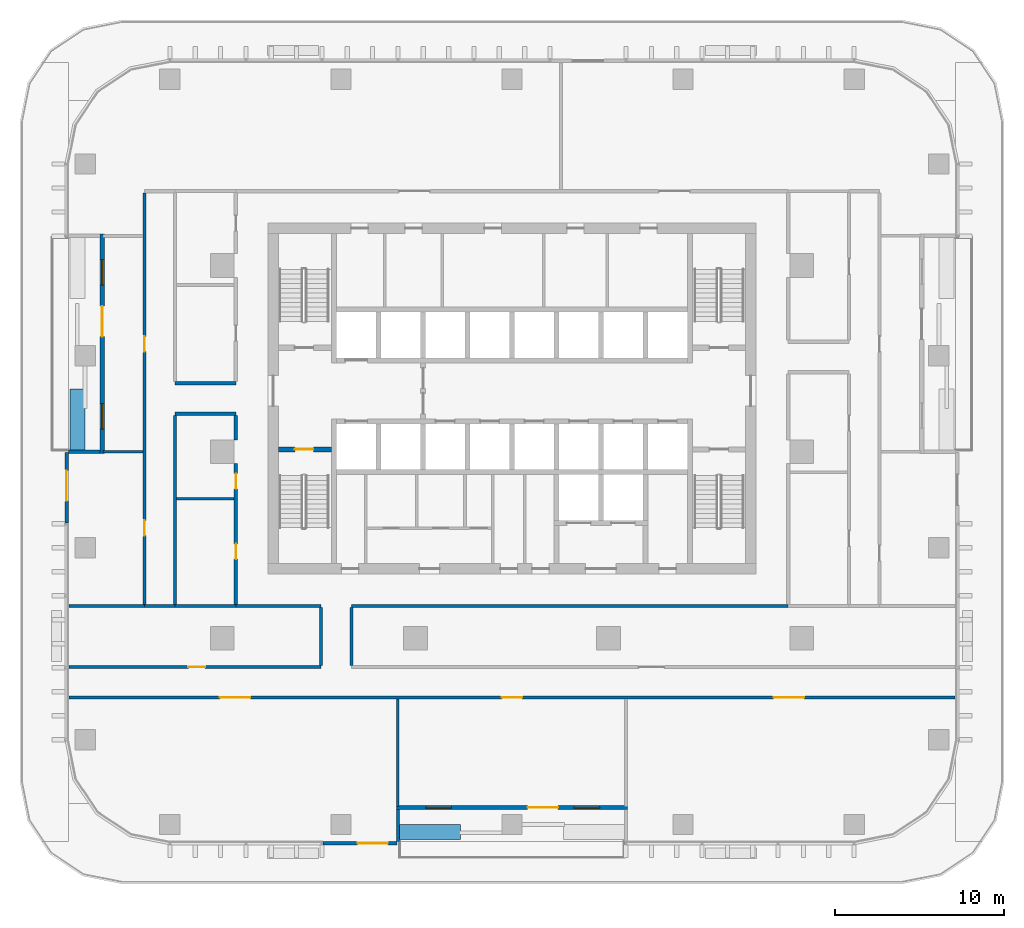
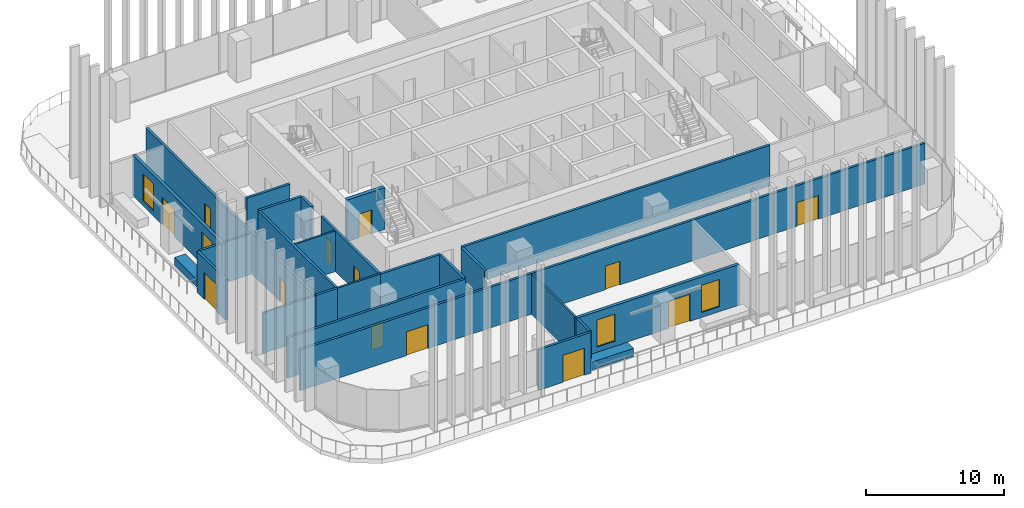
# One storey, part 7 of 16: 27 walls, 13 doors, 4 windows, 17 openings.
"""IFC4 building model written with IfcOpenShell, lengths in metres."""

from ifc_helpers import new_model, si_unit, direction, frame, frame_2d, origin, place, context, subcontext, project, spatial, rectangle, extrude, material, layer, layer_set, type_object, element, fill, save


model = new_model("IFC4")

# Units and contexts
model_context = context("Model", 3, precision=1e-05, world=origin(), true_north=direction((0.0, 1.0)))
body_context = subcontext(model_context, "Body", "Model", "MODEL_VIEW")
ifc_project = project(units=[si_unit("LENGTHUNIT", "METRE"), si_unit("AREAUNIT", "SQUARE_METRE"), si_unit("VOLUMEUNIT", "CUBIC_METRE"), si_unit("PLANEANGLEUNIT", "RADIAN"), si_unit("MASSUNIT", "GRAM", prefix="KILO")], contexts=[model_context])

# Site, building, storey
site_placement = place(None, origin())
site = spatial("IfcSite", under=ifc_project, at=site_placement, CompositionType="ELEMENT")
building_placement = place(site_placement, origin())
building = spatial("IfcBuilding", under=site, at=building_placement, Name="Mopane Tessera Tower", CompositionType="ELEMENT")
storey_placement = place(building_placement, frame((0.0, 0.0, 157.0)))
storey = spatial("IfcBuildingStorey", under=building, at=storey_placement, Name="L31", CompositionType="ELEMENT", Elevation=157.0)

# Wall, openings, doors
ifc_material_1 = material(Name="Gypsum board on steel studs, two layers each face, mineral wool infill", Category="steel")
ifc_layer_1 = layer(ifc_material_1, 0.199951171875)
ifc_layer_set_1 = layer_set([ifc_layer_1], Name="Gypsum board on steel studs, two layers each face, mineral wool infill")
wall_type_1 = type_object("IfcWallType", Name="Gypsum board corridor wall 200, rated EI 60", PredefinedType="PARTITIONING", material=ifc_layer_set_1)
wall_1_placement = place(storey_placement, frame((-26.14990234375, -14.5, 0.0), z_axis=(0.0, 0.0, 1.0), x_axis=(1.0, 0.0, 0.0)))
wall_1 = element("IfcWall", 1, at=wall_1_placement, inside=storey, type_object=wall_type_1, Name="Partition L31:000", PredefinedType="PARTITIONING", context=body_context, shape_type="SweptSolid", body=[
    extrude(rectangle(XDim=52.2998046875, YDim=0.199951171875, at=frame_2d((26.14990234375, 0.0))), origin(), (0.0, 0.0, 1.0), 3.60009765625),
])
opening_1_placement = place(wall_1_placement, frame((25.550048828125, 0.0, 0.0)))
opening_1 = element("IfcOpeningElement", 2, at=opening_1_placement, cuts=wall_1, Name="Opening L31-02", PredefinedType="OPENING", context=body_context, shape_type="SweptSolid", body=[
    extrude(rectangle(XDim=1.199951171875, YDim=2.10009765625, at=frame_2d((0.60009765625, 1.050048828125))), frame((0.0, 0.112060546875, 0.0), z_axis=(0.0, -1.0, 0.0), x_axis=(1.0, 0.0, 0.0)), (0.0, 0.0, 1.0), 0.223876953125),
])
opening_2_placement = place(wall_1_placement, frame((8.907470703125, 0.0, 0.0)))
opening_2 = element("IfcOpeningElement", 3, at=opening_2_placement, cuts=wall_1, Name="Opening L31-15", PredefinedType="OPENING", context=body_context, shape_type="SweptSolid", body=[
    extrude(rectangle(XDim=1.800048828125, YDim=2.10009765625, at=frame_2d((0.89990234375, 1.050048828125))), frame((0.0, 0.112060546875, 0.0), z_axis=(0.0, -1.0, 0.0), x_axis=(1.0, 0.0, 0.0)), (0.0, 0.0, 1.0), 0.223876953125),
])
opening_3_placement = place(wall_1_placement, frame((41.592529296875, 0.0, 0.0)))
opening_3 = element("IfcOpeningElement", 4, at=opening_3_placement, cuts=wall_1, Name="Opening L31-18", PredefinedType="OPENING", context=body_context, shape_type="SweptSolid", body=[
    extrude(rectangle(XDim=1.800048828125, YDim=2.10009765625, at=frame_2d((0.89990234375, 1.050048828125))), frame((0.0, 0.112060546875, 0.0), z_axis=(0.0, -1.0, 0.0), x_axis=(1.0, 0.0, 0.0)), (0.0, 0.0, 1.0), 0.223876953125),
])
ifc_material_2 = material(Name="Timber veneered steel-framed fire door", Category="steel")
door_type_1 = type_object("IfcDoorType", Name="Fire door FD60 1200 x 2100", OperationType="SINGLE_SWING_LEFT", PredefinedType="DOOR", material=ifc_material_2)
door_1_placement = place(opening_1_placement, origin())
door_1 = element("IfcDoor", 5, at=door_1_placement, inside=storey, type_object=door_type_1, Name="Door L31-02", ObjectType="D15A", OperationType="SINGLE_SWING_RIGHT", OverallHeight=2.10009765625, OverallWidth=1.199951171875, PredefinedType="DOOR", context=body_context, shape_type="SweptSolid", body=[
    extrude(rectangle(XDim=1.199951171875, YDim=2.10009765625, at=frame_2d((0.60009765625, 1.050048828125))), frame((0.0, 0.02490234375, 0.0), z_axis=(0.0, -1.0, 0.0), x_axis=(1.0, 0.0, 0.0)), (0.0, 0.0, 1.0), 0.050048828125),
])
fill(opening_1, door_1)
ifc_material_3 = material(Name="Timber veneered steel-framed fire door", Category="steel")
door_type_2 = type_object("IfcDoorType", Name="Fire door pair FD60 1800 x 2100", OperationType="DOUBLE_DOOR_SINGLE_SWING", PredefinedType="DOOR", material=ifc_material_3)
door_2_placement = place(opening_2_placement, origin())
door_2 = element("IfcDoor", 6, at=door_2_placement, inside=storey, type_object=door_type_2, Name="Door L31-15", ObjectType="D20A", OperationType="DOUBLE_DOOR_SINGLE_SWING", OverallHeight=2.10009765625, OverallWidth=1.800048828125, PredefinedType="DOOR", context=body_context, shape_type="SweptSolid", body=[
    extrude(rectangle(XDim=1.800048828125, YDim=2.10009765625, at=frame_2d((0.89990234375, 1.050048828125))), frame((0.0, 0.02490234375, 0.0), z_axis=(0.0, -1.0, 0.0), x_axis=(1.0, 0.0, 0.0)), (0.0, 0.0, 1.0), 0.050048828125),
])
fill(opening_2, door_2)
door_3_placement = place(opening_3_placement, origin())
door_3 = element("IfcDoor", 7, at=door_3_placement, inside=storey, type_object=door_type_2, Name="Door L31-18", ObjectType="D20A", OperationType="DOUBLE_DOOR_SINGLE_SWING", OverallHeight=2.10009765625, OverallWidth=1.800048828125, PredefinedType="DOOR", context=body_context, shape_type="SweptSolid", body=[
    extrude(rectangle(XDim=1.800048828125, YDim=2.10009765625, at=frame_2d((0.89990234375, 1.050048828125))), frame((0.0, 0.02490234375, 0.0), z_axis=(0.0, -1.0, 0.0), x_axis=(1.0, 0.0, 0.0)), (0.0, 0.0, 1.0), 0.050048828125),
])
fill(opening_3, door_3)

# Wall, opening, door
wall_2_placement = place(storey_placement, frame((-26.14990234375, -12.699951171875, 0.0), z_axis=(0.0, 0.0, 1.0), x_axis=(1.0, 0.0, 0.0)))
wall_2 = element("IfcWall", 8, at=wall_2_placement, inside=storey, type_object=wall_type_1, Name="Partition L31:001", PredefinedType="PARTITIONING", context=body_context, shape_type="SweptSolid", body=[
    extrude(rectangle(XDim=14.869873046875, YDim=0.199951171875, at=frame_2d((7.43505859375, 0.0))), origin(), (0.0, 0.0, 1.0), 3.60009765625),
])
opening_4_placement = place(wall_2_placement, frame((7.034912109375, 0.0, 0.0)))
opening_4 = element("IfcOpeningElement", 9, at=opening_4_placement, cuts=wall_2, Name="Opening L31-09", PredefinedType="OPENING", context=body_context, shape_type="SweptSolid", body=[
    extrude(rectangle(XDim=1.0, YDim=2.10009765625, at=frame_2d((0.5, 1.050048828125))), frame((0.0, 0.112060546875, 0.0), z_axis=(0.0, -1.0, 0.0), x_axis=(1.0, 0.0, 0.0)), (0.0, 0.0, 1.0), 0.223876953125),
])
ifc_material_4 = material(Name="Timber veneered steel-framed fire door", Category="steel")
door_type_3 = type_object("IfcDoorType", Name="Fire door FD60 1000 x 2100", OperationType="SINGLE_SWING_LEFT", PredefinedType="DOOR", material=ifc_material_4)
door_4_placement = place(opening_4_placement, origin())
door_4 = element("IfcDoor", 10, at=door_4_placement, inside=storey, type_object=door_type_3, Name="Door L31-09", ObjectType="D12A", OperationType="SINGLE_SWING_RIGHT", OverallHeight=2.10009765625, OverallWidth=1.0, PredefinedType="DOOR", context=body_context, shape_type="SweptSolid", body=[
    extrude(rectangle(XDim=1.0, YDim=2.10009765625, at=frame_2d((0.5, 1.050048828125))), frame((0.0, 0.02490234375, 0.0), z_axis=(0.0, -1.0, 0.0), x_axis=(1.0, 0.0, 0.0)), (0.0, 0.0, 1.0), 0.050048828125),
])
fill(opening_4, door_4)

# Walls
wall_3_placement = place(storey_placement, frame((-21.699951171875, -9.10009765625, 0.0), z_axis=(0.0, 0.0, 1.0), x_axis=(1.0, 0.0, 0.0)))
element("IfcWall", 11, at=wall_3_placement, inside=storey, type_object=wall_type_1, Name="Partition L31:007", PredefinedType="PARTITIONING", context=body_context, shape_type="SweptSolid", body=[
    extrude(rectangle(XDim=1.800048828125, YDim=0.199951171875, at=frame_2d((0.89990234375, 0.0))), origin(), (0.0, 0.0, 1.0), 3.60009765625),
])
wall_4_placement = place(storey_placement, frame((-16.300048828125, -9.10009765625, 0.0), z_axis=(0.0, 0.0, 1.0), x_axis=(1.0, 0.0, 0.0)))
element("IfcWall", 12, at=wall_4_placement, inside=storey, type_object=wall_type_1, Name="Partition L31:008", PredefinedType="PARTITIONING", context=body_context, shape_type="SweptSolid", body=[
    extrude(rectangle(XDim=5.02001953125, YDim=0.199951171875, at=frame_2d((2.510009765625, 0.0))), origin(), (0.0, 0.0, 1.0), 3.60009765625),
])
wall_5_placement = place(storey_placement, frame((-9.47998046875, -9.10009765625, 0.0), z_axis=(0.0, 0.0, 1.0), x_axis=(1.0, 0.0, 0.0)))
element("IfcWall", 13, at=wall_5_placement, inside=storey, type_object=wall_type_1, Name="Partition L31:009", PredefinedType="PARTITIONING", context=body_context, shape_type="SweptSolid", body=[
    extrude(rectangle(XDim=25.780029296875, YDim=0.199951171875, at=frame_2d((12.89013671875, 0.0))), origin(), (0.0, 0.0, 1.0), 3.60009765625),
])
for number, where, z_axis, x_axis, name in (
    (14, (-19.89990234375, 2.25, 0.0), (0.0, 0.0, 1.0), (1.0, 0.0, 0.0), "Partition L31:015"),
    (15, (-19.89990234375, 4.050048828125, 0.0), (0.0, 0.0, 1.0), (1.0, 0.0, 0.0), "Partition L31:016"),
):
    element("IfcWall", number, at=place(storey_placement, frame(where, z_axis=z_axis, x_axis=x_axis)), inside=storey, type_object=wall_type_1, Name=name, PredefinedType="PARTITIONING", context=body_context, shape_type="SweptSolid", body=[
        extrude(rectangle(XDim=3.599853515625, YDim=0.199951171875, at=frame_2d((1.7998046875, 0.0))), origin(), (0.0, 0.0, 1.0), 3.60009765625),
    ])

# Wall, openings, doors
wall_6_placement = place(storey_placement, frame((-21.699951171875, -9.0, 0.0), z_axis=(0.0, 0.0, 1.0), x_axis=(0.0, 1.0, 0.0)))
wall_6 = element("IfcWall", 16, at=wall_6_placement, inside=storey, type_object=wall_type_1, Name="Partition L31:027", PredefinedType="PARTITIONING", context=body_context, shape_type="SweptSolid", body=[
    extrude(rectangle(XDim=24.300048828125, YDim=0.199951171875, at=frame_2d((12.14990234375, 0.0))), origin(), (0.0, 0.0, 1.0), 3.60009765625),
])
opening_5_placement = place(wall_6_placement, frame((14.925048828125, 0.0, 0.0)))
opening_5 = element("IfcOpeningElement", 17, at=opening_5_placement, cuts=wall_6, Name="Opening L31-01", PredefinedType="OPENING", context=body_context, shape_type="SweptSolid", body=[
    extrude(rectangle(XDim=0.89990234375, YDim=2.10009765625, at=frame_2d((0.449951171875, 1.050048828125))), frame((0.0, 0.112060546875, 0.0), z_axis=(0.0, -1.0, 0.0), x_axis=(1.0, 0.0, 0.0)), (0.0, 0.0, 1.0), 0.223876953125),
])
opening_6_placement = place(wall_6_placement, frame((4.050048828125, 0.0, 0.0)))
opening_6 = element("IfcOpeningElement", 18, at=opening_6_placement, cuts=wall_6, Name="Opening L31-13", PredefinedType="OPENING", context=body_context, shape_type="SweptSolid", body=[
    extrude(rectangle(XDim=0.89990234375, YDim=2.10009765625, at=frame_2d((0.449951171875, 1.050048828125))), frame((0.0, 0.112060546875, 0.0), z_axis=(0.0, -1.0, 0.0), x_axis=(1.0, 0.0, 0.0)), (0.0, 0.0, 1.0), 0.223876953125),
])
ifc_material_5 = material(Name="Timber veneered steel-framed fire door", Category="steel")
door_type_4 = type_object("IfcDoorType", Name="Fire door FD60 900 x 2100", OperationType="SINGLE_SWING_LEFT", PredefinedType="DOOR", material=ifc_material_5)
door_5_placement = place(opening_5_placement, origin())
door_5 = element("IfcDoor", 19, at=door_5_placement, inside=storey, type_object=door_type_4, Name="Door L31-01", ObjectType="D10A", OperationType="SINGLE_SWING_RIGHT", OverallHeight=2.10009765625, OverallWidth=0.89990234375, PredefinedType="DOOR", context=body_context, shape_type="SweptSolid", body=[
    extrude(rectangle(XDim=0.89990234375, YDim=2.10009765625, at=frame_2d((0.449951171875, 1.050048828125))), frame((0.0, 0.02490234375, 0.0), z_axis=(0.0, -1.0, 0.0), x_axis=(1.0, 0.0, 0.0)), (0.0, 0.0, 1.0), 0.050048828125),
])
fill(opening_5, door_5)
door_6_placement = place(opening_6_placement, origin())
door_6 = element("IfcDoor", 20, at=door_6_placement, inside=storey, type_object=door_type_4, Name="Door L31-13", ObjectType="D10A", OperationType="SINGLE_SWING_RIGHT", OverallHeight=2.10009765625, OverallWidth=0.89990234375, PredefinedType="DOOR", context=body_context, shape_type="SweptSolid", body=[
    extrude(rectangle(XDim=0.89990234375, YDim=2.10009765625, at=frame_2d((0.449951171875, 1.050048828125))), frame((0.0, 0.02490234375, 0.0), z_axis=(0.0, -1.0, 0.0), x_axis=(1.0, 0.0, 0.0)), (0.0, 0.0, 1.0), 0.050048828125),
])
fill(opening_6, door_6)

# Wall
wall_7_placement = place(storey_placement, frame((-19.89990234375, -9.0, 0.0), z_axis=(0.0, 0.0, 1.0), x_axis=(0.0, 1.0, 0.0)))
element("IfcWall", 21, at=wall_7_placement, inside=storey, type_object=wall_type_1, Name="Partition L31:028", PredefinedType="PARTITIONING", context=body_context, shape_type="SweptSolid", body=[
    extrude(rectangle(XDim=11.14990234375, YDim=0.199951171875, at=frame_2d((5.574951171875, 0.0))), origin(), (0.0, 0.0, 1.0), 3.60009765625),
])

# Wall, openings, doors
wall_8_placement = place(storey_placement, frame((-16.300048828125, -9.0, 0.0), z_axis=(0.0, 0.0, 1.0), x_axis=(0.0, 1.0, 0.0)))
wall_8 = element("IfcWall", 22, at=wall_8_placement, inside=storey, type_object=wall_type_1, Name="Partition L31:030", PredefinedType="PARTITIONING", context=body_context, shape_type="SweptSolid", body=[
    extrude(rectangle(XDim=8.300048828125, YDim=0.199951171875, at=frame_2d((4.14990234375, 0.0))), origin(), (0.0, 0.0, 1.0), 3.60009765625),
])
opening_7_placement = place(wall_8_placement, frame((6.822509765625, 0.0, 0.0)))
opening_7 = element("IfcOpeningElement", 23, at=opening_7_placement, cuts=wall_8, Name="Opening L31-07", PredefinedType="OPENING", context=body_context, shape_type="SweptSolid", body=[
    extrude(rectangle(XDim=0.89990234375, YDim=2.10009765625, at=frame_2d((0.449951171875, 1.050048828125))), frame((0.0, 0.112060546875, 0.0), z_axis=(0.0, -1.0, 0.0), x_axis=(1.0, 0.0, 0.0)), (0.0, 0.0, 1.0), 0.223876953125),
])
opening_8_placement = place(wall_8_placement, frame((2.672607421875, 0.0, 0.0)))
opening_8 = element("IfcOpeningElement", 24, at=opening_8_placement, cuts=wall_8, Name="Opening L31-10", PredefinedType="OPENING", context=body_context, shape_type="SweptSolid", body=[
    extrude(rectangle(XDim=0.89990234375, YDim=2.10009765625, at=frame_2d((0.449951171875, 1.050048828125))), frame((0.0, 0.112060546875, 0.0), z_axis=(0.0, -1.0, 0.0), x_axis=(1.0, 0.0, 0.0)), (0.0, 0.0, 1.0), 0.223876953125),
])
door_7_placement = place(opening_7_placement, origin())
door_7 = element("IfcDoor", 25, at=door_7_placement, inside=storey, type_object=door_type_4, Name="Door L31-07", ObjectType="D10A", OperationType="SINGLE_SWING_RIGHT", OverallHeight=2.10009765625, OverallWidth=0.89990234375, PredefinedType="DOOR", context=body_context, shape_type="SweptSolid", body=[
    extrude(rectangle(XDim=0.89990234375, YDim=2.10009765625, at=frame_2d((0.449951171875, 1.050048828125))), frame((0.0, 0.02490234375, 0.0), z_axis=(0.0, -1.0, 0.0), x_axis=(1.0, 0.0, 0.0)), (0.0, 0.0, 1.0), 0.050048828125),
])
fill(opening_7, door_7)
door_8_placement = place(opening_8_placement, origin())
door_8 = element("IfcDoor", 26, at=door_8_placement, inside=storey, type_object=door_type_4, Name="Door L31-10", ObjectType="D10A", OperationType="SINGLE_SWING_LEFT", OverallHeight=2.10009765625, OverallWidth=0.89990234375, PredefinedType="DOOR", context=body_context, shape_type="SweptSolid", body=[
    extrude(rectangle(XDim=0.89990234375, YDim=2.10009765625, at=frame_2d((0.449951171875, 1.050048828125))), frame((0.0, 0.02490234375, 0.0), z_axis=(0.0, -1.0, 0.0), x_axis=(1.0, 0.0, 0.0)), (0.0, 0.0, 1.0), 0.050048828125),
])
fill(opening_8, door_8)

# Walls
wall_9_placement = place(storey_placement, frame((-16.300048828125, 0.699951171875, 0.0), z_axis=(0.0, 0.0, 1.0), x_axis=(0.0, 1.0, 0.0)))
element("IfcWall", 27, at=wall_9_placement, inside=storey, type_object=wall_type_1, Name="Partition L31:031", PredefinedType="PARTITIONING", context=body_context, shape_type="SweptSolid", body=[
    extrude(rectangle(XDim=1.449951171875, YDim=0.199951171875, at=frame_2d((0.72509765625, 0.0))), origin(), (0.0, 0.0, 1.0), 3.60009765625),
])
for number, where, z_axis, x_axis, name in (
    (28, (-11.280029296875, -12.60009765625, 0.0), (0.0, 0.0, 1.0), (0.0, 1.0, 0.0), "Partition L31:034"),
    (29, (-9.47998046875, -12.60009765625, 0.0), (0.0, 0.0, 1.0), (0.0, 1.0, 0.0), "Partition L31:035"),
):
    element("IfcWall", number, at=place(storey_placement, frame(where, z_axis=z_axis, x_axis=x_axis)), inside=storey, type_object=wall_type_1, Name=name, PredefinedType="PARTITIONING", context=body_context, shape_type="SweptSolid", body=[
        extrude(rectangle(XDim=3.400146484375, YDim=0.199951171875, at=frame_2d((1.7001953125, 0.0))), origin(), (0.0, 0.0, 1.0), 3.60009765625),
    ])
ifc_material_6 = material(Name="Gypsum board on steel studs, mineral wool infill", Category="steel")
ifc_layer_2 = layer(ifc_material_6, 0.14990234375)
ifc_layer_set_2 = layer_set([ifc_layer_2], Name="Gypsum board on steel studs, mineral wool infill")
wall_type_2 = type_object("IfcWallType", Name="Gypsum board partition 150, rated EI 60", PredefinedType="PARTITIONING", material=ifc_layer_set_2)
wall_10_placement = place(storey_placement, frame((-26.14990234375, -9.10009765625, 0.0), z_axis=(0.0, 0.0, 1.0), x_axis=(1.0, 0.0, 0.0)))
element("IfcWall", 30, at=wall_10_placement, inside=storey, type_object=wall_type_2, Name="Partition L31:003", PredefinedType="PARTITIONING", context=body_context, shape_type="SweptSolid", body=[
    extrude(rectangle(XDim=4.449951171875, YDim=0.14990234375, at=frame_2d((2.22509765625, 0.0))), origin(), (0.0, 0.0, 1.0), 3.60009765625),
])
wall_11_placement = place(storey_placement, frame((-19.89990234375, -9.10009765625, 0.0), z_axis=(0.0, 0.0, 1.0), x_axis=(1.0, 0.0, 0.0)))
element("IfcWall", 31, at=wall_11_placement, inside=storey, type_object=wall_type_2, Name="Partition L31:004", PredefinedType="PARTITIONING", context=body_context, shape_type="SweptSolid", body=[
    extrude(rectangle(XDim=3.599853515625, YDim=0.14990234375, at=frame_2d((1.7998046875, 0.0))), origin(), (0.0, 0.0, 1.0), 3.60009765625),
])
wall_12_placement = place(storey_placement, frame((-19.800048828125, -2.7548828125, 0.0), z_axis=(0.0, 0.0, 1.0), x_axis=(1.0, 0.0, 0.0)))
element("IfcWall", 32, at=wall_12_placement, inside=storey, type_object=wall_type_2, Name="Partition L31:011", PredefinedType="PARTITIONING", context=body_context, shape_type="SweptSolid", body=[
    extrude(rectangle(XDim=3.400146484375, YDim=0.14990234375, at=frame_2d((1.7001953125, 0.0))), origin(), (0.0, 0.0, 1.0), 3.60009765625),
])
wall_13_placement = place(storey_placement, frame((-24.14990234375, 0.0, 0.0), z_axis=(0.0, 0.0, 1.0), x_axis=(1.0, 0.0, 0.0)))
element("IfcWall", 33, at=wall_13_placement, inside=storey, type_object=wall_type_2, Name="Partition L31:013", PredefinedType="PARTITIONING", context=body_context, shape_type="SweptSolid", body=[
    extrude(rectangle(XDim=2.349853515625, YDim=0.14990234375, at=frame_2d((1.1748046875, 0.0))), origin(), (0.0, 0.0, 1.0), 3.60009765625),
])
wall_14_placement = place(storey_placement, frame((-6.735107421875, -20.949951171875, 0.0), z_axis=(0.0, 0.0, 1.0), x_axis=(0.0, 1.0, 0.0)))
element("IfcWall", 34, at=wall_14_placement, inside=storey, type_object=wall_type_2, Name="Partition L31:036", PredefinedType="PARTITIONING", context=body_context, shape_type="SweptSolid", body=[
    extrude(rectangle(XDim=6.349853515625, YDim=0.14990234375, at=frame_2d((3.1748046875, 0.0))), origin(), (0.0, 0.0, 1.0), 3.60009765625),
])

# Wall, opening, door
ifc_material_7 = material(Name="Concrete C50/60", Category="concrete")
ifc_layer_3 = layer(ifc_material_7, 0.300048828125)
ifc_layer_set_3 = layer_set([ifc_layer_3], Name="Concrete C50/60")
wall_type_3 = type_object("IfcWallType", Name="Lift and stair shaft wall 300 mm", PredefinedType="SOLIDWALL", material=ifc_layer_set_3)
wall_15_placement = place(storey_placement, frame((-13.800048828125, 0.14990234375, 0.0), z_axis=(0.0, 0.0, 1.0), x_axis=(1.0, 0.0, 0.0)))
wall_15 = element("IfcWall", 35, at=wall_15_placement, inside=storey, type_object=wall_type_3, Name="L31 Stair enclosure wall", PredefinedType="SOLIDWALL", context=body_context, shape_type="SweptSolid", body=[
    extrude(rectangle(XDim=3.150146484375, YDim=0.300048828125, at=frame_2d((1.5751953125, 0.0))), origin(), (0.0, 0.0, 1.0), 3.699951171875),
])
opening_9_placement = place(wall_15_placement, frame((0.97509765625, 0.0, 0.0)))
opening_9 = element("IfcOpeningElement", 36, at=opening_9_placement, cuts=wall_15, Name="Opening SD1", PredefinedType="OPENING", context=body_context, shape_type="SweptSolid", body=[
    extrude(rectangle(XDim=1.10009765625, YDim=2.10009765625, at=frame_2d((0.550048828125, 1.050048828125))), frame((0.0, 0.162109375, 0.0), z_axis=(0.0, -1.0, 0.0), x_axis=(1.0, 0.0, 0.0)), (0.0, 0.0, 1.0), 0.323974609375),
])
ifc_material_8 = material(Name="Steel fire door", Category="steel")
door_type_5 = type_object("IfcDoorType", Name="Stair fire door 1100 x 2100", OperationType="SINGLE_SWING_LEFT", PredefinedType="DOOR", material=ifc_material_8)
door_9_placement = place(opening_9_placement, origin())
door_9 = element("IfcDoor", 37, at=door_9_placement, inside=storey, type_object=door_type_5, Name="L31 Stair door ST1", OperationType="SINGLE_SWING_LEFT", OverallHeight=2.10009765625, OverallWidth=1.10009765625, PredefinedType="DOOR", context=body_context, shape_type="SweptSolid", body=[
    extrude(rectangle(XDim=1.10009765625, YDim=2.10009765625, at=frame_2d((0.550048828125, 1.050048828125))), frame((0.0, 0.02490234375, 0.0), z_axis=(0.0, -1.0, 0.0), x_axis=(1.0, 0.0, 0.0)), (0.0, 0.0, 1.0), 0.050048828125),
])
fill(opening_9, door_9)

# Walls
ifc_material_9 = material(Name="Reinforced concrete C32/40 with waterproofing", Category="concrete")
ifc_layer_4 = layer(ifc_material_9, 0.89990234375)
ifc_layer_set_4 = layer_set([ifc_layer_4], Name="Reinforced concrete C32/40 with waterproofing")
wall_type_4 = type_object("IfcWallType", Name="Planter trough 3600 x 900", PredefinedType="STANDARD", material=ifc_layer_set_4)
for number, where, z_axis, x_axis, name in (
    (38, (-25.64990234375, 3.699951171875, 0.0), (0.0, 0.0, 1.0), (0.0, -1.0, 0.0), "e:nw:L31:N1:pl1"),
    (39, (-6.63330078125, -22.449951171875, 0.0), (0.0, 0.0, 1.0), (1.0, 0.0, 0.0), "e:nw:L31:N2:pl0"),
):
    element("IfcWall", number, at=place(storey_placement, frame(where, z_axis=z_axis, x_axis=x_axis)), inside=storey, type_object=wall_type_4, Name=name, PredefinedType="STANDARD", context=body_context, shape_type="SweptSolid", body=[
        extrude(rectangle(XDim=3.599853515625, YDim=0.89990234375, at=frame_2d((1.7998046875, 0.0))), origin(), (0.0, 0.0, 1.0), 0.699951171875),
    ])
ifc_material_10 = material(Name="Blockwork with glazed tile facing", Category="masonry")
ifc_layer_5 = layer(ifc_material_10, 0.199951171875)
ifc_layer_set_5 = layer_set([ifc_layer_5], Name="Blockwork with glazed tile facing")
wall_type_5 = type_object("IfcWallType", Name="Terrace cheek wall 200", PredefinedType="STANDARD", material=ifc_layer_set_5)
for number, where, z_axis, x_axis, name in (
    (40, (-26.199951171875, 0.0, 0.0), (0.0, 0.0, 1.0), (1.0, 0.0, 0.0), "e:nw:L31:N1:cheekb"),
    (41, (-6.7333984375, -23.0, 0.0), (0.0, 0.0, 1.0), (0.0, 1.0, 0.0), "e:nw:L31:N2:cheeka"),
):
    element("IfcWall", number, at=place(storey_placement, frame(where, z_axis=z_axis, x_axis=x_axis)), inside=storey, type_object=wall_type_5, Name=name, PredefinedType="STANDARD", context=body_context, shape_type="SweptSolid", body=[
        extrude(rectangle(XDim=1.875, YDim=0.199951171875, at=frame_2d((0.9375, 0.0))), origin(), (0.0, 0.0, 1.0), 3.60009765625),
    ])

# Wall, openings, windows, door
ifc_material_11 = material(Name="Blockwork with ochre glazed tile facing", Category="masonry")
ifc_layer_6 = layer(ifc_material_11, 0.25)
ifc_layer_set_6 = layer_set([ifc_layer_6], Name="Blockwork with ochre glazed tile facing")
wall_type_6 = type_object("IfcWallType", Name="Tile-clad external wall 250, ochre", PredefinedType="STANDARD", material=ifc_layer_set_6)
wall_16_placement = place(storey_placement, frame((-24.199951171875, 12.85009765625, 0.0), z_axis=(0.0, 0.0, 1.0), x_axis=(0.0, -1.0, 0.0)))
wall_16 = element("IfcWall", 42, at=wall_16_placement, inside=storey, type_object=wall_type_6, Name="e:nw:L31:N1:back", PredefinedType="STANDARD", context=body_context, shape_type="SweptSolid", body=[
    extrude(rectangle(XDim=12.9501953125, YDim=0.25, at=frame_2d((6.47509765625, 0.0))), origin(), (0.0, 0.0, 1.0), 3.60009765625),
])
opening_10_placement = place(wall_16_placement, frame((1.5, 0.0, 0.449951171875)))
opening_10 = element("IfcOpeningElement", 43, at=opening_10_placement, cuts=wall_16, Name="Opening NW311A", PredefinedType="OPENING", context=body_context, shape_type="SweptSolid", body=[
    extrude(rectangle(XDim=1.5, YDim=2.39990234375, at=frame_2d((0.75, 1.199951171875))), frame((0.0, 0.136962890625, 0.0), z_axis=(0.0, -1.0, 0.0), x_axis=(1.0, 0.0, 0.0)), (0.0, 0.0, 1.0), 0.27392578125),
])
opening_11_placement = place(wall_16_placement, frame((4.25, 0.0, 0.0)))
opening_11 = element("IfcOpeningElement", 44, at=opening_11_placement, cuts=wall_16, Name="Opening ND311", PredefinedType="OPENING", context=body_context, shape_type="SweptSolid", body=[
    extrude(rectangle(XDim=1.800048828125, YDim=2.39990234375, at=frame_2d((0.89990234375, 1.199951171875))), frame((0.0, 0.136962890625, 0.0), z_axis=(0.0, -1.0, 0.0), x_axis=(1.0, 0.0, 0.0)), (0.0, 0.0, 1.0), 0.27392578125),
])
opening_12_placement = place(wall_16_placement, frame((10.0, 0.0, 0.449951171875)))
opening_12 = element("IfcOpeningElement", 45, at=opening_12_placement, cuts=wall_16, Name="Opening NW311B", PredefinedType="OPENING", context=body_context, shape_type="SweptSolid", body=[
    extrude(rectangle(XDim=1.5, YDim=2.39990234375, at=frame_2d((0.75, 1.199951171875))), frame((0.0, 0.136962890625, 0.0), z_axis=(0.0, -1.0, 0.0), x_axis=(1.0, 0.0, 0.0)), (0.0, 0.0, 1.0), 0.27392578125),
])
ifc_material_12 = material(Name="Clear laminated glass", Category="glass")
window_type = type_object("IfcWindowType", Name="Fixed window 1500 x 2400", PartitioningType="SINGLE_PANEL", PredefinedType="WINDOW", material=ifc_material_12)
window_1_placement = place(opening_10_placement, origin())
window_1 = element("IfcWindow", 46, at=window_1_placement, inside=storey, type_object=window_type, Name="e:nw:L31:N1:win0", OverallHeight=2.39990234375, OverallWidth=1.5, PartitioningType="SINGLE_PANEL", PredefinedType="WINDOW", context=body_context, shape_type="SweptSolid", body=[
    extrude(rectangle(XDim=1.5, YDim=2.39990234375, at=frame_2d((0.75, 1.199951171875))), frame((0.0, 0.030029296875, 0.0), z_axis=(0.0, -1.0, 0.0), x_axis=(1.0, 0.0, 0.0)), (0.0, 0.0, 1.0), 0.06005859375),
])
fill(opening_10, window_1)
window_2_placement = place(opening_12_placement, origin())
window_2 = element("IfcWindow", 47, at=window_2_placement, inside=storey, type_object=window_type, Name="e:nw:L31:N1:win2", OverallHeight=2.39990234375, OverallWidth=1.5, PartitioningType="SINGLE_PANEL", PredefinedType="WINDOW", context=body_context, shape_type="SweptSolid", body=[
    extrude(rectangle(XDim=1.5, YDim=2.39990234375, at=frame_2d((0.75, 1.199951171875))), frame((0.0, 0.030029296875, 0.0), z_axis=(0.0, -1.0, 0.0), x_axis=(1.0, 0.0, 0.0)), (0.0, 0.0, 1.0), 0.06005859375),
])
fill(opening_12, window_2)
ifc_material_13 = material(Name="Aluminium and clear glass", Category="aluminium")
door_type_6 = type_object("IfcDoorType", Name="Terrace double door 1800 x 2400", OperationType="DOUBLE_DOOR_SINGLE_SWING", PredefinedType="DOOR", material=ifc_material_13)
door_10_placement = place(opening_11_placement, origin())
door_10 = element("IfcDoor", 48, at=door_10_placement, inside=storey, type_object=door_type_6, Name="e:nw:L31:N1:door", ObjectType="D1", OperationType="DOUBLE_DOOR_SINGLE_SWING", OverallHeight=2.39990234375, OverallWidth=1.800048828125, PredefinedType="DOOR", context=body_context, shape_type="SweptSolid", body=[
    extrude(rectangle(XDim=1.800048828125, YDim=2.39990234375, at=frame_2d((0.89990234375, 1.199951171875))), frame((0.0, 0.02490234375, 0.0), z_axis=(0.0, -1.0, 0.0), x_axis=(1.0, 0.0, 0.0)), (0.0, 0.0, 1.0), 0.050048828125),
])
fill(opening_11, door_10)

wall_17_placement = place(storey_placement, frame((-6.833251953125, -21.0, 0.0), z_axis=(0.0, 0.0, 1.0), x_axis=(1.0, 0.0, 0.0)))
wall_17 = element("IfcWall", 49, at=wall_17_placement, inside=storey, type_object=wall_type_6, Name="e:nw:L31:N2:back", PredefinedType="STANDARD", context=body_context, shape_type="SweptSolid", body=[
    extrude(rectangle(XDim=13.66650390625, YDim=0.25, at=frame_2d((6.833251953125, 0.0))), origin(), (0.0, 0.0, 1.0), 3.60009765625),
])
opening_13_placement = place(wall_17_placement, frame((1.75, 0.0, 0.449951171875)))
opening_13 = element("IfcOpeningElement", 50, at=opening_13_placement, cuts=wall_17, Name="Opening NW312A", PredefinedType="OPENING", context=body_context, shape_type="SweptSolid", body=[
    extrude(rectangle(XDim=1.5, YDim=2.39990234375, at=frame_2d((0.75, 1.199951171875))), frame((0.0, 0.136962890625, 0.0), z_axis=(0.0, -1.0, 0.0), x_axis=(1.0, 0.0, 0.0)), (0.0, 0.0, 1.0), 0.27392578125),
])
opening_14_placement = place(wall_17_placement, frame((7.75, 0.0, 0.0)))
opening_14 = element("IfcOpeningElement", 51, at=opening_14_placement, cuts=wall_17, Name="Opening ND312", PredefinedType="OPENING", context=body_context, shape_type="SweptSolid", body=[
    extrude(rectangle(XDim=1.800048828125, YDim=2.39990234375, at=frame_2d((0.89990234375, 1.199951171875))), frame((0.0, 0.136962890625, 0.0), z_axis=(0.0, -1.0, 0.0), x_axis=(1.0, 0.0, 0.0)), (0.0, 0.0, 1.0), 0.27392578125),
])
opening_15_placement = place(wall_17_placement, frame((10.5, 0.0, 0.449951171875)))
opening_15 = element("IfcOpeningElement", 52, at=opening_15_placement, cuts=wall_17, Name="Opening NW312B", PredefinedType="OPENING", context=body_context, shape_type="SweptSolid", body=[
    extrude(rectangle(XDim=1.5, YDim=2.39990234375, at=frame_2d((0.75, 1.199951171875))), frame((0.0, 0.136962890625, 0.0), z_axis=(0.0, -1.0, 0.0), x_axis=(1.0, 0.0, 0.0)), (0.0, 0.0, 1.0), 0.27392578125),
])
window_3_placement = place(opening_13_placement, origin())
window_3 = element("IfcWindow", 53, at=window_3_placement, inside=storey, type_object=window_type, Name="e:nw:L31:N2:win0", OverallHeight=2.39990234375, OverallWidth=1.5, PartitioningType="SINGLE_PANEL", PredefinedType="WINDOW", context=body_context, shape_type="SweptSolid", body=[
    extrude(rectangle(XDim=1.5, YDim=2.39990234375, at=frame_2d((0.75, 1.199951171875))), frame((0.0, 0.030029296875, 0.0), z_axis=(0.0, -1.0, 0.0), x_axis=(1.0, 0.0, 0.0)), (0.0, 0.0, 1.0), 0.06005859375),
])
fill(opening_13, window_3)
window_4_placement = place(opening_15_placement, origin())
window_4 = element("IfcWindow", 54, at=window_4_placement, inside=storey, type_object=window_type, Name="e:nw:L31:N2:win2", OverallHeight=2.39990234375, OverallWidth=1.5, PartitioningType="SINGLE_PANEL", PredefinedType="WINDOW", context=body_context, shape_type="SweptSolid", body=[
    extrude(rectangle(XDim=1.5, YDim=2.39990234375, at=frame_2d((0.75, 1.199951171875))), frame((0.0, 0.030029296875, 0.0), z_axis=(0.0, -1.0, 0.0), x_axis=(1.0, 0.0, 0.0)), (0.0, 0.0, 1.0), 0.06005859375),
])
fill(opening_15, window_4)
door_11_placement = place(opening_14_placement, origin())
door_11 = element("IfcDoor", 55, at=door_11_placement, inside=storey, type_object=door_type_6, Name="e:nw:L31:N2:door", ObjectType="D1", OperationType="DOUBLE_DOOR_SINGLE_SWING", OverallHeight=2.39990234375, OverallWidth=1.800048828125, PredefinedType="DOOR", context=body_context, shape_type="SweptSolid", body=[
    extrude(rectangle(XDim=1.800048828125, YDim=2.39990234375, at=frame_2d((0.89990234375, 1.199951171875))), frame((0.0, 0.02490234375, 0.0), z_axis=(0.0, -1.0, 0.0), x_axis=(1.0, 0.0, 0.0)), (0.0, 0.0, 1.0), 0.050048828125),
])
fill(opening_14, door_11)

# Wall, opening, door
ifc_material_14 = material(Name="Blockwork with glazed tile facing", Category="masonry")
ifc_layer_7 = layer(ifc_material_14, 0.199951171875)
ifc_layer_set_7 = layer_set([ifc_layer_7], Name="Blockwork with glazed tile facing")
wall_type_7 = type_object("IfcWallType", Name="Tile-clad portal wall 200", PredefinedType="STANDARD", material=ifc_layer_set_7)
wall_18_placement = place(storey_placement, frame((-11.172119140625, -23.10009765625, 0.0), z_axis=(0.0, 0.0, 1.0), x_axis=(1.0, 0.0, 0.0)))
wall_18 = element("IfcWall", 56, at=wall_18_placement, inside=storey, type_object=wall_type_7, Name="e:pw:L31:S", PredefinedType="STANDARD", context=body_context, shape_type="SweptSolid", body=[
    extrude(rectangle(XDim=4.388671875, YDim=0.199951171875, at=frame_2d((2.1943359375, 0.0))), origin(), (0.0, 0.0, 1.0), 3.60009765625),
])
opening_16_placement = place(wall_18_placement, frame((2.050048828125, 0.0, 0.0)))
opening_16 = element("IfcOpeningElement", 57, at=opening_16_placement, cuts=wall_18, Name="Opening TD31S", PredefinedType="OPENING", context=body_context, shape_type="SweptSolid", body=[
    extrude(rectangle(XDim=1.800048828125, YDim=2.39990234375, at=frame_2d((0.89990234375, 1.199951171875))), frame((0.0, 0.112060546875, 0.0), z_axis=(0.0, -1.0, 0.0), x_axis=(1.0, 0.0, 0.0)), (0.0, 0.0, 1.0), 0.223876953125),
])
door_12_placement = place(opening_16_placement, origin())
door_12 = element("IfcDoor", 58, at=door_12_placement, inside=storey, type_object=door_type_6, Name="e:pw:L31:S:door", ObjectType="D1", OperationType="DOUBLE_DOOR_SINGLE_SWING", OverallHeight=2.39990234375, OverallWidth=1.800048828125, PredefinedType="DOOR", context=body_context, shape_type="SweptSolid", body=[
    extrude(rectangle(XDim=1.800048828125, YDim=2.39990234375, at=frame_2d((0.89990234375, 1.199951171875))), frame((0.0, 0.02490234375, 0.0), z_axis=(0.0, -1.0, 0.0), x_axis=(1.0, 0.0, 0.0)), (0.0, 0.0, 1.0), 0.050048828125),
])
fill(opening_16, door_12)

wall_19_placement = place(storey_placement, frame((-26.300048828125, -0.050048828125, 0.0), z_axis=(0.0, 0.0, 1.0), x_axis=(0.0, -1.0, 0.0)))
wall_19 = element("IfcWall", 59, at=wall_19_placement, inside=storey, type_object=wall_type_7, Name="e:pw:L31:W", PredefinedType="STANDARD", context=body_context, shape_type="SweptSolid", body=[
    extrude(rectangle(XDim=4.14990234375, YDim=0.199951171875, at=frame_2d((2.074951171875, 0.0))), origin(), (0.0, 0.0, 1.0), 3.60009765625),
])
opening_17_placement = place(wall_19_placement, frame((1.050048828125, 0.0, 0.0)))
opening_17 = element("IfcOpeningElement", 60, at=opening_17_placement, cuts=wall_19, Name="Opening TD31W", PredefinedType="OPENING", context=body_context, shape_type="SweptSolid", body=[
    extrude(rectangle(XDim=1.800048828125, YDim=2.39990234375, at=frame_2d((0.89990234375, 1.199951171875))), frame((0.0, 0.112060546875, 0.0), z_axis=(0.0, -1.0, 0.0), x_axis=(1.0, 0.0, 0.0)), (0.0, 0.0, 1.0), 0.223876953125),
])
door_13_placement = place(opening_17_placement, origin())
door_13 = element("IfcDoor", 61, at=door_13_placement, inside=storey, type_object=door_type_6, Name="e:pw:L31:W:door", ObjectType="D1", OperationType="DOUBLE_DOOR_SINGLE_SWING", OverallHeight=2.39990234375, OverallWidth=1.800048828125, PredefinedType="DOOR", context=body_context, shape_type="SweptSolid", body=[
    extrude(rectangle(XDim=1.800048828125, YDim=2.39990234375, at=frame_2d((0.89990234375, 1.199951171875))), frame((0.0, 0.02490234375, 0.0), z_axis=(0.0, -1.0, 0.0), x_axis=(1.0, 0.0, 0.0)), (0.0, 0.0, 1.0), 0.050048828125),
])
fill(opening_17, door_13)

save(model, "model.ifc")
